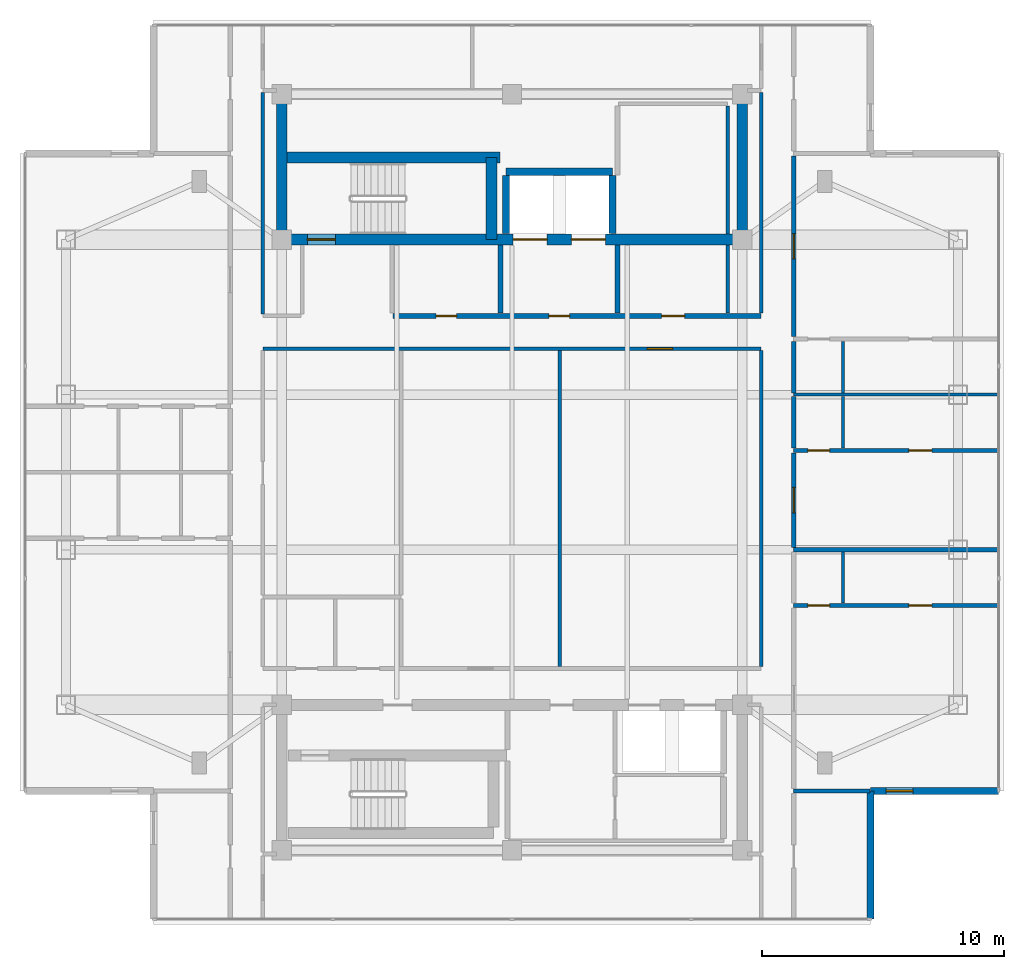
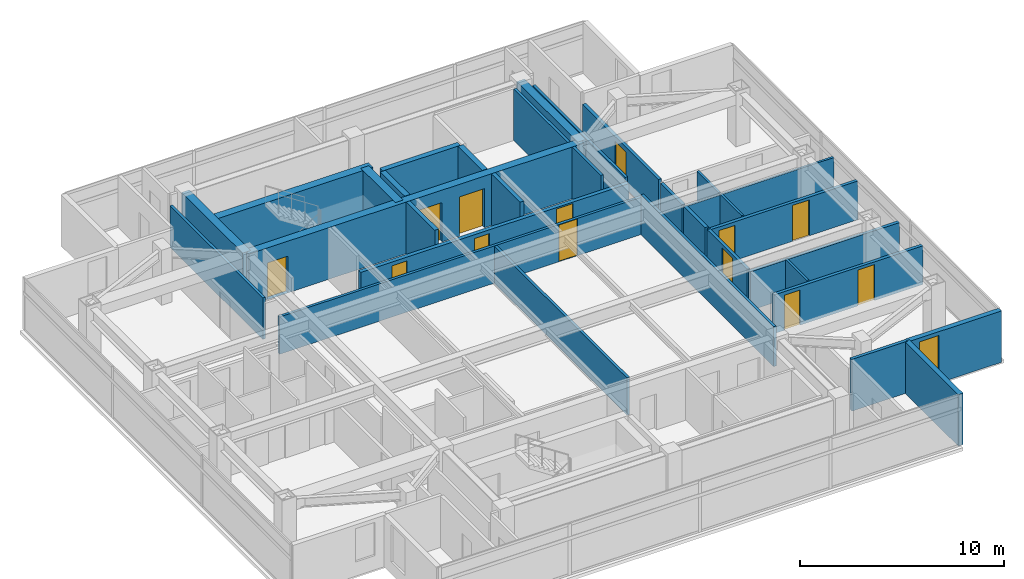
# One storey, part 8 of 12: 32 walls, 13 doors, 1 window, 14 openings.
"""IFC4 building model written with IfcOpenShell, lengths in metres."""

import ifcopenshell
import ifcopenshell.guid

model = None  # the IFC model being written
_history = None  # IfcOwnerHistory: only IFC2X3 demands one
_inside = {}  # id of a spatial element -> (the spatial element, [elements in it])
_under = {}  # id of a project, library or spatial element -> (it, [spatial elements below it])
_declared = {}  # id of a project -> (the project, [libraries it declares])
_typed = {}  # id of a type object -> (the type object, [elements of that type])
_made_of = {}  # id of a material, layer set ... -> (it, [elements and type objects made of it])


def new_model(schema):
    """Start an empty IFC model of exactly this schema.

    Asked for "IFC4X3", IfcOpenShell would pick the latest addendum, in which some entities
    have other attributes; the version numbers below select the first issue.
    IFC2X3 requires an IfcOwnerHistory on every rooted entity: one is made here for all.
    """
    global model, _history
    if schema == "IFC4X3":
        model = ifcopenshell.file(schema_version=(4, 3, 0, 0))
    else:
        model = ifcopenshell.file(schema=schema)
    _inside.clear()
    _under.clear()
    _declared.clear()
    _typed.clear()
    _made_of.clear()
    _history = None
    if model.schema == "IFC2X3":
        org = make("IfcOrganization", Name="unknown")
        user = make(
            "IfcPersonAndOrganization",
            ThePerson=make("IfcPerson", FamilyName="unknown"),
            TheOrganization=org,
        )
        app = make(
            "IfcApplication",
            ApplicationDeveloper=org,
            Version="unknown",
            ApplicationFullName="unknown",
            ApplicationIdentifier="unknown",
        )
        _history = make(
            "IfcOwnerHistory",
            OwningUser=user,
            OwningApplication=app,
            ChangeAction="ADDED",
            CreationDate=0,
        )
    return model


def make(cls, **values):
    """One entity of the class cls with the attributes given. An attribute that is None is left unset."""
    return model.create_entity(
        cls, **{name: value for name, value in values.items() if value is not None}
    )


def rooted(cls, **values):
    """An entity with a GlobalId (a new one), such as an element, a storey or a relation."""
    return make(cls, GlobalId=ifcopenshell.guid.new(), OwnerHistory=_history, **values)


def si_unit(unit_type, name, prefix=None):
    """IfcSIUnit, for example si_unit("LENGTHUNIT", "METRE", prefix="MILLI")."""
    return make("IfcSIUnit", UnitType=unit_type, Prefix=prefix, Name=name)


def assignment(units):
    """IfcUnitAssignment: the units of a project."""
    return None if units is None else make("IfcUnitAssignment", Units=units)


def point(xyz):
    """IfcCartesianPoint."""
    return None if xyz is None else make("IfcCartesianPoint", Coordinates=xyz)


def direction(xyz):
    """IfcDirection."""
    return None if xyz is None else make("IfcDirection", DirectionRatios=xyz)


def frame(location, z_axis=None, x_axis=None):
    """IfcAxis2Placement3D, a coordinate frame: its origin and axes. An axis left out is left unset."""
    return make(
        "IfcAxis2Placement3D",
        Location=point(location),
        Axis=direction(z_axis),
        RefDirection=direction(x_axis),
    )


def frame_2d(location, x_axis=None):
    """IfcAxis2Placement2D, a coordinate frame in the plane: its origin and x axis."""
    return make(
        "IfcAxis2Placement2D", Location=point(location), RefDirection=direction(x_axis)
    )


def origin():
    """The frame at (0, 0, 0) with its axes left unset."""
    return frame((0.0, 0.0, 0.0))


def place(relative_to, where):
    """IfcLocalPlacement: puts the frame where relative to a parent placement (None: the world)."""
    return make(
        "IfcLocalPlacement", PlacementRelTo=relative_to, RelativePlacement=where
    )


def context(
    kind, dimensions, precision=None, world=None, true_north=None, identifier=None
):
    """IfcGeometricRepresentationContext, for example the 3D "Model" context."""
    return make(
        "IfcGeometricRepresentationContext",
        ContextIdentifier=identifier,
        ContextType=kind,
        CoordinateSpaceDimension=dimensions,
        Precision=precision,
        WorldCoordinateSystem=world,
        TrueNorth=true_north,
    )


def subcontext(parent, identifier, kind, view, scale=None):
    """IfcGeometricRepresentationSubContext, for example "Body" below "Model"."""
    return make(
        "IfcGeometricRepresentationSubContext",
        ContextIdentifier=identifier,
        ContextType=kind,
        ParentContext=parent,
        TargetScale=scale,
        TargetView=view,
    )


def project(units=None, contexts=None):
    """IfcProject with its units and contexts."""
    return rooted(
        "IfcProject",
        Name="project",
        RepresentationContexts=contexts,
        UnitsInContext=assignment(units),
    )


def spatial(cls, under=None, at=None, **own):
    """A site, building, storey or space (cls), placed at a placement, below another one or the project."""
    s = rooted(cls, ObjectPlacement=at, **own)
    if under is not None:
        _under.setdefault(under.id(), (under, []))[1].append(s)
    return s


def profile(cls, at=None, kind="AREA", **sizes):
    """A parametric profile (cls). Its sizes go by their IFC names, for example OverallWidth=200.0."""
    return make(cls, ProfileType=kind, Position=at, **sizes)


def rectangle(**sizes):
    """IfcRectangleProfileDef."""
    return profile("IfcRectangleProfileDef", **sizes)


def extrude(swept, where, along, depth):
    """IfcExtrudedAreaSolid: the profile swept, set in the frame where, extruded along a direction by depth."""
    return make(
        "IfcExtrudedAreaSolid",
        SweptArea=swept,
        Position=where,
        ExtrudedDirection=direction(along),
        Depth=depth,
    )


def shape(context_of_items, identifier, shape_type, items):
    """IfcShapeRepresentation: the items that make up one representation, for example the "Body"."""
    return make(
        "IfcShapeRepresentation",
        ContextOfItems=context_of_items,
        RepresentationIdentifier=identifier,
        RepresentationType=shape_type,
        Items=items,
    )


def material(Name=None, Category=None):
    """IfcMaterial."""
    return make("IfcMaterial", Name=Name, Category=Category)


def layer(
    of_material, thickness, ventilated=None, Name=None, Category=None, Priority=None
):
    """IfcMaterialLayer: one layer of a wall or slab, of a material (None: an air gap)."""
    return make(
        "IfcMaterialLayer",
        Material=of_material,
        LayerThickness=thickness,
        IsVentilated=ventilated,
        Name=Name,
        Category=Category,
        Priority=Priority,
    )


def layer_set(layers, Name=None):
    """IfcMaterialLayerSet."""
    return make("IfcMaterialLayerSet", MaterialLayers=layers, LayerSetName=Name)


def made_of(thing, what):
    """Note that an element or type object is made of a material, layer set ...; save() writes the relation."""
    if what is not None:
        _made_of.setdefault(what.id(), (what, []))[1].append(thing)
    return thing


def type_object(cls, material=None, **own):
    """A type object (cls), such as IfcWallType, which elements share."""
    return made_of(rooted(cls, **own), material)


def element(
    cls,
    number,
    at=None,
    inside=None,
    cuts=None,
    type_object=None,
    material=None,
    context=None,
    identifier="Body",
    shape_type=None,
    held_by="IfcProductDefinitionShape",
    body=None,
    shapes=None,
    **own,
):
    """One element of the class cls, such as IfcWall. Its Tag is "e" and its number.

    at: its placement. inside: the storey or other place that contains it. cuts: it is an
    opening in that element (IfcRelVoidsElement). A single representation is given by context,
    identifier, shape_type and body (its items); several are given by shapes. held_by: the class
    of the entity that holds the representations. save() writes the other relations.
    """
    e = rooted(cls, Tag="e%d" % number, ObjectPlacement=at, **own)
    if body is not None:
        shapes = [shape(context, identifier, shape_type, body)]
    if shapes is not None:
        e.Representation = make(held_by, Representations=shapes)
    if inside is not None:
        _inside.setdefault(inside.id(), (inside, []))[1].append(e)
    if cuts is not None:
        rooted(
            "IfcRelVoidsElement", RelatingBuildingElement=cuts, RelatedOpeningElement=e
        )
    if type_object is not None:
        _typed.setdefault(type_object.id(), (type_object, []))[1].append(e)
    return made_of(e, material)


def fill(opening, filler):
    """IfcRelFillsElement: the door or window that sits in an opening."""
    return rooted(
        "IfcRelFillsElement",
        RelatingOpeningElement=opening,
        RelatedBuildingElement=filler,
    )


def aggregate(whole, parts):
    """IfcRelAggregates: a whole, such as a stair, and the parts it consists of."""
    return rooted("IfcRelAggregates", RelatingObject=whole, RelatedObjects=parts)


def save(model, path):
    """Write the relations noted so far, then the file.

    IfcRelAggregates (storeys below a building ...), IfcRelContainedInSpatialStructure (elements
    in a storey), IfcRelDefinesByType, IfcRelAssociatesMaterial and IfcRelDeclares: one each for
    every whole, place, type object, material and project.
    """
    for whole, parts in _under.values():
        aggregate(whole, parts)
    for where, things in _inside.values():
        rooted(
            "IfcRelContainedInSpatialStructure",
            RelatedElements=things,
            RelatingStructure=where,
        )
    for kind, things in _typed.values():
        rooted("IfcRelDefinesByType", RelatedObjects=things, RelatingType=kind)
    for what, things in _made_of.values():
        rooted("IfcRelAssociatesMaterial", RelatedObjects=things, RelatingMaterial=what)
    for by, libraries in _declared.values():
        rooted("IfcRelDeclares", RelatingContext=by, RelatedDefinitions=libraries)
    model.write(path)


model = new_model("IFC4")

# Units and contexts
model_context = context("Model", 3, precision=1e-05, world=origin(), true_north=direction((0.0, 1.0)))
body_context = subcontext(model_context, "Body", "Model", "MODEL_VIEW")
ifc_project = project(units=[si_unit("LENGTHUNIT", "METRE"), si_unit("AREAUNIT", "SQUARE_METRE"), si_unit("VOLUMEUNIT", "CUBIC_METRE"), si_unit("PLANEANGLEUNIT", "RADIAN"), si_unit("MASSUNIT", "GRAM", prefix="KILO")], contexts=[model_context])

# Site, building, storey
site_placement = place(None, origin())
site = spatial("IfcSite", under=ifc_project, at=site_placement, CompositionType="ELEMENT")
building_placement = place(site_placement, origin())
building = spatial("IfcBuilding", under=site, at=building_placement, Name="Mirazonda Arch Towers", CompositionType="ELEMENT")
storey_placement = place(building_placement, frame((0.0, 0.0, 219.39990234375)))
storey = spatial("IfcBuildingStorey", under=building, at=storey_placement, Name="L62", CompositionType="ELEMENT", Elevation=219.39990234375)

# Walls
ifc_material_1 = material(Name="Concrete C50/60", Category="concrete")
ifc_layer_1 = layer(ifc_material_1, 0.449951171875, Name="WALL-CORE-450")
ifc_layer_set_1 = layer_set([ifc_layer_1], Name="Concrete C50/60")
wall_type_1 = type_object("IfcWallType", Name="WALL-CORE-450", PredefinedType="SHEAR", material=ifc_layer_set_1)
for number, where, z_axis, x_axis, name in (
    (1, (11.0, 37.60009765625, 0.0), (0.0, 0.0, 1.0), (0.0, 1.0, 0.0), "L62 T1N-W Core Shear Wall"),
    (2, (30.0, 37.60009765625, 0.0), (0.0, 0.0, 1.0), (0.0, 1.0, 0.0), "L62 T1N-E Core Shear Wall"),
):
    element("IfcWall", number, at=place(storey_placement, frame(where, z_axis=z_axis, x_axis=x_axis)), inside=storey, type_object=wall_type_1, Name=name, PredefinedType="SHEAR", context=body_context, shape_type="SweptSolid", body=[
        extrude(rectangle(XDim=6.0, YDim=0.449951171875, at=frame_2d((3.0, 0.0))), origin(), (0.0, 0.0, 1.0), 3.10009765625),
    ])

# Wall, openings, doors
wall_1_placement = place(storey_placement, frame((11.0, 37.60009765625, 0.0), z_axis=(0.0, 0.0, 1.0), x_axis=(1.0, 0.0, 0.0)))
wall_1 = element("IfcWall", 3, at=wall_1_placement, inside=storey, type_object=wall_type_1, Name="L62 T1N-S Core Shear Wall", PredefinedType="SHEAR", context=body_context, shape_type="SweptSolid", body=[
    extrude(rectangle(XDim=19.0, YDim=0.449951171875, at=frame_2d((9.5, 0.0))), origin(), (0.0, 0.0, 1.0), 3.10009765625),
])
opening_1_placement = place(wall_1_placement, frame((1.06005859375, 0.0, 0.0)))
opening_1 = element("IfcOpeningElement", 4, at=opening_1_placement, cuts=wall_1, Name="Opening DR-135", PredefinedType="OPENING", context=body_context, shape_type="SweptSolid", body=[
    extrude(rectangle(XDim=1.14990234375, YDim=2.199951171875, at=frame_2d((0.574951171875, 1.10009765625))), frame((0.0, 0.23486328125, 0.0), z_axis=(0.0, -1.0, 0.0), x_axis=(1.0, 0.0, 0.0)), (0.0, 0.0, 1.0), 0.469970703125),
])
opening_2_placement = place(wall_1_placement, frame((9.550048828125, 0.0, 0.0)))
opening_2 = element("IfcOpeningElement", 5, at=opening_2_placement, cuts=wall_1, Name="Opening LD-112", PredefinedType="OPENING", context=body_context, shape_type="SweptSolid", body=[
    extrude(rectangle(XDim=1.39990234375, YDim=2.35009765625, at=frame_2d((0.699951171875, 1.175048828125))), frame((0.0, 0.23486328125, 0.0), z_axis=(0.0, -1.0, 0.0), x_axis=(1.0, 0.0, 0.0)), (0.0, 0.0, 1.0), 0.469970703125),
])
opening_3_placement = place(wall_1_placement, frame((11.949951171875, 0.0, 0.0)))
opening_3 = element("IfcOpeningElement", 6, at=opening_3_placement, cuts=wall_1, Name="Opening LD-112", PredefinedType="OPENING", context=body_context, shape_type="SweptSolid", body=[
    extrude(rectangle(XDim=1.39990234375, YDim=2.35009765625, at=frame_2d((0.699951171875, 1.175048828125))), frame((0.0, 0.23486328125, 0.0), z_axis=(0.0, -1.0, 0.0), x_axis=(1.0, 0.0, 0.0)), (0.0, 0.0, 1.0), 0.469970703125),
])
ifc_material_2 = material(Name="Architectural Brushed Steel S355", Category="steel")
door_type_1 = type_object("IfcDoorType", Name="DOOR-LIFT-FFL-1400", OperationType="NOTDEFINED", PredefinedType="DOOR", material=ifc_material_2)
door_1_placement = place(opening_2_placement, origin())
door_1 = element("IfcDoor", 7, at=door_1_placement, inside=storey, type_object=door_type_1, Name="L62 Lift Landing Sliding Door FFL-T1", OperationType="DOUBLE_DOOR_SLIDING", OverallHeight=2.35009765625, OverallWidth=1.39990234375, PredefinedType="DOOR", context=body_context, shape_type="SweptSolid", body=[
    extrude(rectangle(XDim=1.39990234375, YDim=2.35009765625, at=frame_2d((0.699951171875, 1.175048828125))), frame((0.0, 0.02490234375, 0.0), z_axis=(0.0, -1.0, 0.0), x_axis=(1.0, 0.0, 0.0)), (0.0, 0.0, 1.0), 0.050048828125),
])
fill(opening_2, door_1)
door_2_placement = place(opening_3_placement, origin())
door_2 = element("IfcDoor", 8, at=door_2_placement, inside=storey, type_object=door_type_1, Name="L62 Lift Landing Sliding Door SVL-T1", OperationType="DOUBLE_DOOR_SLIDING", OverallHeight=2.35009765625, OverallWidth=1.39990234375, PredefinedType="DOOR", context=body_context, shape_type="SweptSolid", body=[
    extrude(rectangle(XDim=1.39990234375, YDim=2.35009765625, at=frame_2d((0.699951171875, 1.175048828125))), frame((0.0, 0.02490234375, 0.0), z_axis=(0.0, -1.0, 0.0), x_axis=(1.0, 0.0, 0.0)), (0.0, 0.0, 1.0), 0.050048828125),
])
fill(opening_3, door_2)
door_type_2 = type_object("IfcDoorType", Name="DOOR-STAIR-FD90-1150", OperationType="NOTDEFINED", PredefinedType="DOOR", material=ifc_material_2)
door_3_placement = place(opening_1_placement, origin())
door_3 = element("IfcDoor", 9, at=door_3_placement, inside=storey, type_object=door_type_2, Name="L62 Protected Exit Stair North Door", OperationType="SINGLE_SWING_RIGHT", OverallHeight=2.199951171875, OverallWidth=1.14990234375, PredefinedType="DOOR", context=body_context, shape_type="SweptSolid", body=[
    extrude(rectangle(XDim=1.14990234375, YDim=2.199951171875, at=frame_2d((0.574951171875, 1.10009765625))), frame((0.0, 0.02490234375, 0.0), z_axis=(0.0, -1.0, 0.0), x_axis=(1.0, 0.0, 0.0)), (0.0, 0.0, 1.0), 0.050048828125),
])
fill(opening_1, door_3)

# Walls
wall_2_placement = place(storey_placement, frame((11.0, 40.992919921875, 0.0), z_axis=(0.0, 0.0, 1.0), x_axis=(1.0, 0.0, 0.0)))
element("IfcWall", 10, at=wall_2_placement, inside=storey, type_object=wall_type_1, Name="L62 T1N-STN Core Shear Wall", PredefinedType="SHEAR", context=body_context, shape_type="SweptSolid", body=[
    extrude(rectangle(XDim=9.0, YDim=0.449951171875, at=frame_2d((4.5, 0.0))), origin(), (0.0, 0.0, 1.0), 3.10009765625),
])
wall_3_placement = place(storey_placement, frame((19.64990234375, 37.60009765625, 0.0), z_axis=(0.0, 0.0, 1.0), x_axis=(0.0, 1.0, 0.0)))
element("IfcWall", 11, at=wall_3_placement, inside=storey, type_object=wall_type_1, Name="L62 T1N-STE Core Shear Wall", PredefinedType="SHEAR", context=body_context, shape_type="SweptSolid", body=[
    extrude(rectangle(XDim=3.392822265625, YDim=0.449951171875, at=frame_2d((1.6962890625, 0.0))), origin(), (0.0, 0.0, 1.0), 3.10009765625),
])

# Wall, opening, window
ifc_material_3 = material(Name="Precast Concrete C40/50", Category="concrete")
ifc_layer_2 = layer(ifc_material_3, 0.280029296875, Name="WALL-EXT-WALL-280")
ifc_layer_set_2 = layer_set([ifc_layer_2], Name="Precast Concrete C40/50")
wall_type_2 = type_object("IfcWallType", Name="WALL-EXT-WALL-280", PredefinedType="SOLIDWALL", material=ifc_layer_set_2)
wall_4_placement = place(storey_placement, frame((35.2900390625, 14.85009765625, 0.0), z_axis=(0.0, 0.0, 1.0), x_axis=(1.0, 0.0, 0.0)))
wall_4 = element("IfcWall", 12, at=wall_4_placement, inside=storey, type_object=wall_type_2, Name="L62 T1 Corner Notch Return Wall WL-L62-T1-CSE1", PredefinedType="SOLIDWALL", context=body_context, shape_type="SweptSolid", body=[
    extrude(rectangle(XDim=5.2900390625, YDim=0.280029296875, at=frame_2d((2.64501953125, 0.0))), origin(), (0.0, 0.0, 1.0), 3.080078125),
])
opening_4_placement = place(wall_4_placement, frame((0.64990234375, 0.0, 0.85009765625)))
opening_4 = element("IfcOpeningElement", 13, at=opening_4_placement, cuts=wall_4, Name="Opening WN-108", PredefinedType="OPENING", context=body_context, shape_type="SweptSolid", body=[
    extrude(rectangle(XDim=1.10009765625, YDim=2.0, at=frame_2d((0.550048828125, 1.0))), frame((0.0, 0.14990234375, 0.0), z_axis=(0.0, -1.0, 0.0), x_axis=(1.0, 0.0, 0.0)), (0.0, 0.0, 1.0), 0.300048828125),
])
ifc_material_4 = material(Name="Insulated Low-E Solar Glass", Category="glass")
window_type = type_object("IfcWindowType", Name="WIN-NOTCH-1100x2000", PartitioningType="SINGLE_PANEL", PredefinedType="WINDOW", material=ifc_material_4)
window_placement = place(opening_4_placement, origin())
window = element("IfcWindow", 14, at=window_placement, inside=storey, type_object=window_type, Name="L62 Punched Facade Window WN-L62-T1-CSE1", OverallHeight=2.0, OverallWidth=1.10009765625, PartitioningType="SINGLE_PANEL", PredefinedType="WINDOW", context=body_context, shape_type="SweptSolid", body=[
    extrude(rectangle(XDim=1.10009765625, YDim=2.0, at=frame_2d((0.550048828125, 1.0))), frame((0.0, 0.030029296875, 0.0), z_axis=(0.0, -1.0, 0.0), x_axis=(1.0, 0.0, 0.0)), (0.0, 0.0, 1.0), 0.06005859375),
])
fill(opening_4, window)

# Wall
wall_5_placement = place(storey_placement, frame((35.2900390625, 9.56005859375, 0.0), z_axis=(0.0, 0.0, 1.0), x_axis=(0.0, 1.0, 0.0)))
element("IfcWall", 15, at=wall_5_placement, inside=storey, type_object=wall_type_2, Name="L62 T1 Corner Notch Return Wall WL-L62-T1-CSE2", PredefinedType="SOLIDWALL", context=body_context, shape_type="SweptSolid", body=[
    extrude(rectangle(XDim=5.2900390625, YDim=0.280029296875, at=frame_2d((2.64501953125, 0.0))), origin(), (0.0, 0.0, 1.0), 3.080078125),
])

# Wall, openings, doors
ifc_material_5 = material(Name="Concrete C40/50", Category="concrete")
ifc_layer_3 = layer(ifc_material_5, 0.219970703125, Name="WALL-FFL-220")
ifc_layer_set_3 = layer_set([ifc_layer_3], Name="Concrete C40/50")
wall_type_3 = type_object("IfcWallType", Name="WALL-FFL-220", PredefinedType="SOLIDWALL", material=ifc_layer_set_3)
wall_6_placement = place(storey_placement, frame((15.590087890625, 34.449951171875, 0.0), z_axis=(0.0, 0.0, 1.0), x_axis=(1.0, 0.0, 0.0)))
wall_6 = element("IfcWall", 16, at=wall_6_placement, inside=storey, type_object=wall_type_3, Name="L62 Interior Partition 023", PredefinedType="SOLIDWALL", context=body_context, shape_type="SweptSolid", body=[
    extrude(rectangle(XDim=15.18994140625, YDim=0.219970703125, at=frame_2d((7.594970703125, 0.0))), origin(), (0.0, 0.0, 1.0), 2.236083984375),
])
opening_5_placement = place(wall_6_placement, frame((6.43505859375, 0.0, 0.0)))
opening_5 = element("IfcOpeningElement", 17, at=opening_5_placement, cuts=wall_6, Name="Opening DR-128", PredefinedType="OPENING", context=body_context, shape_type="SweptSolid", body=[
    extrude(rectangle(XDim=0.85009765625, YDim=2.010009765625, at=frame_2d((0.425048828125, 1.0048828125))), frame((0.0, 0.119873046875, 0.0), z_axis=(0.0, -1.0, 0.0), x_axis=(1.0, 0.0, 0.0)), (0.0, 0.0, 1.0), 0.239990234375),
])
opening_6_placement = place(wall_6_placement, frame((11.0849609375, 0.0, 0.0)))
opening_6 = element("IfcOpeningElement", 18, at=opening_6_placement, cuts=wall_6, Name="Opening DR-104", PredefinedType="OPENING", context=body_context, shape_type="SweptSolid", body=[
    extrude(rectangle(XDim=0.949951171875, YDim=2.14990234375, at=frame_2d((0.47509765625, 1.074951171875))), frame((0.0, 0.119873046875, 0.0), z_axis=(0.0, -1.0, 0.0), x_axis=(1.0, 0.0, 0.0)), (0.0, 0.0, 1.0), 0.239990234375),
])
opening_7_placement = place(wall_6_placement, frame((1.77490234375, 0.0, 0.0)))
opening_7 = element("IfcOpeningElement", 19, at=opening_7_placement, cuts=wall_6, Name="Opening DR-128", PredefinedType="OPENING", context=body_context, shape_type="SweptSolid", body=[
    extrude(rectangle(XDim=0.85009765625, YDim=2.010009765625, at=frame_2d((0.425048828125, 1.0048828125))), frame((0.0, 0.119873046875, 0.0), z_axis=(0.0, -1.0, 0.0), x_axis=(1.0, 0.0, 0.0)), (0.0, 0.0, 1.0), 0.239990234375),
])
door_type_3 = type_object("IfcDoorType", Name="DOOR-RISER-FD60-850", OperationType="NOTDEFINED", PredefinedType="DOOR", material=ifc_material_2)
door_4_placement = place(opening_5_placement, origin())
door_4 = element("IfcDoor", 20, at=door_4_placement, inside=storey, type_object=door_type_3, Name="L62 Firefighting Lift Lobby Door", OperationType="SINGLE_SWING_LEFT", OverallHeight=2.010009765625, OverallWidth=0.85009765625, PredefinedType="DOOR", context=body_context, shape_type="SweptSolid", body=[
    extrude(rectangle(XDim=0.85009765625, YDim=2.010009765625, at=frame_2d((0.425048828125, 1.0048828125))), frame((0.0, 0.02490234375, 0.0), z_axis=(0.0, -1.0, 0.0), x_axis=(1.0, 0.0, 0.0)), (0.0, 0.0, 1.0), 0.050048828125),
])
fill(opening_5, door_4)
door_5_placement = place(opening_7_placement, origin())
door_5 = element("IfcDoor", 21, at=door_5_placement, inside=storey, type_object=door_type_3, Name="L62 Housekeeping Linen Room Door", OperationType="SINGLE_SWING_LEFT", OverallHeight=2.010009765625, OverallWidth=0.85009765625, PredefinedType="DOOR", context=body_context, shape_type="SweptSolid", body=[
    extrude(rectangle(XDim=0.85009765625, YDim=2.010009765625, at=frame_2d((0.425048828125, 1.0048828125))), frame((0.0, 0.02490234375, 0.0), z_axis=(0.0, -1.0, 0.0), x_axis=(1.0, 0.0, 0.0)), (0.0, 0.0, 1.0), 0.050048828125),
])
fill(opening_7, door_5)
door_type_4 = type_object("IfcDoorType", Name="DOOR-ROOM-950", OperationType="NOTDEFINED", PredefinedType="DOOR", material=ifc_material_2)
door_6_placement = place(opening_6_placement, origin())
door_6 = element("IfcDoor", 22, at=door_6_placement, inside=storey, type_object=door_type_4, Name="L62 Residents Private Art Gallery Door", OperationType="SINGLE_SWING_RIGHT", OverallHeight=2.14990234375, OverallWidth=0.949951171875, PredefinedType="DOOR", context=body_context, shape_type="SweptSolid", body=[
    extrude(rectangle(XDim=0.949951171875, YDim=2.14990234375, at=frame_2d((0.47509765625, 1.074951171875))), frame((0.0, 0.02490234375, 0.0), z_axis=(0.0, -1.0, 0.0), x_axis=(1.0, 0.0, 0.0)), (0.0, 0.0, 1.0), 0.050048828125),
])
fill(opening_6, door_6)

# Walls
for number, where, z_axis, x_axis, name in (
    (23, (20.02490234375, 34.570068359375, 0.0), (0.0, 0.0, 1.0), (0.0, 1.0, 0.0), "L62 Interior Partition 053"),
    (24, (24.85009765625, 34.570068359375, 0.0), (0.0, 0.0, 1.0), (0.0, 1.0, 0.0), "L62 Interior Partition 061"),
):
    element("IfcWall", number, at=place(storey_placement, frame(where, z_axis=z_axis, x_axis=x_axis)), inside=storey, type_object=wall_type_3, Name=name, PredefinedType="SOLIDWALL", context=body_context, shape_type="SweptSolid", body=[
        extrude(rectangle(XDim=2.809814453125, YDim=0.219970703125, at=frame_2d((1.40478515625, 0.0))), origin(), (0.0, 0.0, 1.0), 3.10009765625),
    ])

# Wall, opening, door
ifc_material_6 = material(Name="Fire-Rated Gypsum Stud Partition")
ifc_layer_4 = layer(ifc_material_6, 0.14990234375, Name="WALL-PART-CORR-150")
ifc_layer_set_4 = layer_set([ifc_layer_4], Name="Fire-Rated Gypsum Stud Partition")
wall_type_4 = type_object("IfcWallType", Name="WALL-PART-CORR-150", PredefinedType="PARTITIONING", material=ifc_layer_set_4)
wall_7_placement = place(storey_placement, frame((10.219970703125, 33.10009765625, 0.0), z_axis=(0.0, 0.0, 1.0), x_axis=(1.0, 0.0, 0.0)))
wall_7 = element("IfcWall", 25, at=wall_7_placement, inside=storey, type_object=wall_type_4, Name="L62 Interior Partition 020", PredefinedType="PARTITIONING", context=body_context, shape_type="SweptSolid", body=[
    extrude(rectangle(XDim=20.56005859375, YDim=0.14990234375, at=frame_2d((10.280029296875, 0.0))), origin(), (0.0, 0.0, 1.0), 2.236083984375),
])
opening_8_placement = place(wall_7_placement, frame((15.85693359375, 0.0, 0.0)))
opening_8 = element("IfcOpeningElement", 26, at=opening_8_placement, cuts=wall_7, Name="Opening DR-121", PredefinedType="OPENING", context=body_context, shape_type="SweptSolid", body=[
    extrude(rectangle(XDim=1.050048828125, YDim=2.199951171875, at=frame_2d((0.52490234375, 1.10009765625))), frame((0.0, 0.0849609375, 0.0), z_axis=(0.0, -1.0, 0.0), x_axis=(1.0, 0.0, 0.0)), (0.0, 0.0, 1.0), 0.169921875),
])
door_type_5 = type_object("IfcDoorType", Name="DOOR-SUITE-FD60-1050", OperationType="NOTDEFINED", PredefinedType="DOOR", material=ifc_material_2)
door_7_placement = place(opening_8_placement, origin())
door_7 = element("IfcDoor", 27, at=door_7_placement, inside=storey, type_object=door_type_5, Name="L62 Chamber Music & Screening Salon Door", OperationType="SINGLE_SWING_LEFT", OverallHeight=2.199951171875, OverallWidth=1.050048828125, PredefinedType="DOOR", context=body_context, shape_type="SweptSolid", body=[
    extrude(rectangle(XDim=1.050048828125, YDim=2.199951171875, at=frame_2d((0.52490234375, 1.10009765625))), frame((0.0, 0.02490234375, 0.0), z_axis=(0.0, -1.0, 0.0), x_axis=(1.0, 0.0, 0.0)), (0.0, 0.0, 1.0), 0.050048828125),
])
fill(opening_8, door_7)

# Walls
wall_8_placement = place(storey_placement, frame((10.219970703125, 34.534912109375, 0.0), z_axis=(0.0, 0.0, 1.0), x_axis=(0.0, 1.0, 0.0)))
element("IfcWall", 28, at=wall_8_placement, inside=storey, type_object=wall_type_4, Name="L62 Interior Partition 044", PredefinedType="PARTITIONING", context=body_context, shape_type="SweptSolid", body=[
    extrude(rectangle(XDim=9.130126953125, YDim=0.14990234375, at=frame_2d((4.56494140625, 0.0))), origin(), (0.0, 0.0, 1.0), 2.4921875),
])
wall_9_placement = place(storey_placement, frame((22.464111328125, 19.985107421875, 0.0), z_axis=(0.0, 0.0, 1.0), x_axis=(0.0, 1.0, 0.0)))
element("IfcWall", 29, at=wall_9_placement, inside=storey, type_object=wall_type_4, Name="L62 Interior Partition 057", PredefinedType="PARTITIONING", context=body_context, shape_type="SweptSolid", body=[
    extrude(rectangle(XDim=13.02978515625, YDim=0.14990234375, at=frame_2d((6.514892578125, 0.0))), origin(), (0.0, 0.0, 1.0), 2.236083984375),
])
wall_10_placement = place(storey_placement, frame((29.39990234375, 34.570068359375, 0.0), z_axis=(0.0, 0.0, 1.0), x_axis=(0.0, 1.0, 0.0)))
element("IfcWall", 30, at=wall_10_placement, inside=storey, type_object=wall_type_4, Name="L62 Interior Partition 065", PredefinedType="PARTITIONING", context=body_context, shape_type="SweptSolid", body=[
    extrude(rectangle(XDim=2.809814453125, YDim=0.14990234375, at=frame_2d((1.40478515625, 0.0))), origin(), (0.0, 0.0, 1.0), 3.10009765625),
])
wall_11_placement = place(storey_placement, frame((29.39990234375, 37.820068359375, 0.0), z_axis=(0.0, 0.0, 1.0), x_axis=(0.0, 1.0, 0.0)))
element("IfcWall", 31, at=wall_11_placement, inside=storey, type_object=wall_type_4, Name="L62 Interior Partition 066", PredefinedType="PARTITIONING", context=body_context, shape_type="SweptSolid", body=[
    extrude(rectangle(XDim=5.294921875, YDim=0.14990234375, at=frame_2d((2.6474609375, 0.0))), origin(), (0.0, 0.0, 1.0), 3.10009765625),
])
wall_12_placement = place(storey_placement, frame((30.780029296875, 19.985107421875, 0.0), z_axis=(0.0, 0.0, 1.0), x_axis=(0.0, 1.0, 0.0)))
element("IfcWall", 32, at=wall_12_placement, inside=storey, type_object=wall_type_4, Name="L62 Interior Partition 069", PredefinedType="PARTITIONING", context=body_context, shape_type="SweptSolid", body=[
    extrude(rectangle(XDim=13.02978515625, YDim=0.14990234375, at=frame_2d((6.514892578125, 0.0))), origin(), (0.0, 0.0, 1.0), 2.39599609375),
])
wall_13_placement = place(storey_placement, frame((30.780029296875, 34.570068359375, 0.0), z_axis=(0.0, 0.0, 1.0), x_axis=(0.0, 1.0, 0.0)))
element("IfcWall", 33, at=wall_13_placement, inside=storey, type_object=wall_type_4, Name="L62 Interior Partition 070", PredefinedType="PARTITIONING", context=body_context, shape_type="SweptSolid", body=[
    extrude(rectangle(XDim=9.094970703125, YDim=0.14990234375, at=frame_2d((4.54736328125, 0.0))), origin(), (0.0, 0.0, 1.0), 2.4921875),
])
ifc_material_7 = material(Name="Fire-Rated Gypsum Twin-Stud Assembly")
ifc_layer_5 = layer(ifc_material_7, 0.179931640625, Name="WALL-PART-DEMISE-180")
ifc_layer_set_5 = layer_set([ifc_layer_5], Name="Fire-Rated Gypsum Twin-Stud Assembly")
wall_type_5 = type_object("IfcWallType", Name="WALL-PART-DEMISE-180", PredefinedType="PARTITIONING", material=ifc_layer_set_5)
wall_14_placement = place(storey_placement, frame((32.1201171875, 14.85009765625, 0.0), z_axis=(0.0, 0.0, 1.0), x_axis=(1.0, 0.0, 0.0)))
element("IfcWall", 34, at=wall_14_placement, inside=storey, type_object=wall_type_5, Name="L62 Interior Partition 006", PredefinedType="PARTITIONING", context=body_context, shape_type="SweptSolid", body=[
    extrude(rectangle(XDim=3.14990234375, YDim=0.179931640625, at=frame_2d((1.574951171875, 0.0))), origin(), (0.0, 0.0, 1.0), 3.10009765625),
])

# Wall, openings, doors
wall_15_placement = place(storey_placement, frame((32.1201171875, 22.5, 0.0), z_axis=(0.0, 0.0, 1.0), x_axis=(1.0, 0.0, 0.0)))
wall_15 = element("IfcWall", 35, at=wall_15_placement, inside=storey, type_object=wall_type_5, Name="L62 Interior Partition 012", PredefinedType="PARTITIONING", context=body_context, shape_type="SweptSolid", body=[
    extrude(rectangle(XDim=8.4599609375, YDim=0.179931640625, at=frame_2d((4.22998046875, 0.0))), origin(), (0.0, 0.0, 1.0), 2.319091796875),
])
opening_9_placement = place(wall_15_placement, frame((4.7548828125, 0.0, 0.0)))
opening_9 = element("IfcOpeningElement", 36, at=opening_9_placement, cuts=wall_15, Name="Opening DR-104", PredefinedType="OPENING", context=body_context, shape_type="SweptSolid", body=[
    extrude(rectangle(XDim=0.949951171875, YDim=2.14990234375, at=frame_2d((0.47509765625, 1.074951171875))), frame((0.0, 0.099853515625, 0.0), z_axis=(0.0, -1.0, 0.0), x_axis=(1.0, 0.0, 0.0)), (0.0, 0.0, 1.0), 0.199951171875),
])
opening_10_placement = place(wall_15_placement, frame((0.590087890625, 0.0, 0.0)))
opening_10 = element("IfcOpeningElement", 37, at=opening_10_placement, cuts=wall_15, Name="Opening DR-120", PredefinedType="OPENING", context=body_context, shape_type="SweptSolid", body=[
    extrude(rectangle(XDim=0.89990234375, YDim=2.10009765625, at=frame_2d((0.449951171875, 1.050048828125))), frame((0.0, 0.099853515625, 0.0), z_axis=(0.0, -1.0, 0.0), x_axis=(1.0, 0.0, 0.0)), (0.0, 0.0, 1.0), 0.199951171875),
])
door_8_placement = place(opening_9_placement, origin())
door_8 = element("IfcDoor", 38, at=door_8_placement, inside=storey, type_object=door_type_4, Name="L62 Studio 1 Galley Kitchen Door", OperationType="SINGLE_SWING_RIGHT", OverallHeight=2.14990234375, OverallWidth=0.949951171875, PredefinedType="DOOR", context=body_context, shape_type="SweptSolid", body=[
    extrude(rectangle(XDim=0.949951171875, YDim=2.14990234375, at=frame_2d((0.47509765625, 1.074951171875))), frame((0.0, 0.02490234375, 0.0), z_axis=(0.0, -1.0, 0.0), x_axis=(1.0, 0.0, 0.0)), (0.0, 0.0, 1.0), 0.050048828125),
])
fill(opening_9, door_8)
door_type_6 = type_object("IfcDoorType", Name="DOOR-WC-900", OperationType="NOTDEFINED", PredefinedType="DOOR", material=ifc_material_2)
door_9_placement = place(opening_10_placement, origin())
door_9 = element("IfcDoor", 39, at=door_9_placement, inside=storey, type_object=door_type_6, Name="L62 Studio 1 Bathroom Door", OperationType="SINGLE_SWING_LEFT", OverallHeight=2.10009765625, OverallWidth=0.89990234375, PredefinedType="DOOR", context=body_context, shape_type="SweptSolid", body=[
    extrude(rectangle(XDim=0.89990234375, YDim=2.10009765625, at=frame_2d((0.449951171875, 1.050048828125))), frame((0.0, 0.02490234375, 0.0), z_axis=(0.0, -1.0, 0.0), x_axis=(1.0, 0.0, 0.0)), (0.0, 0.0, 1.0), 0.050048828125),
])
fill(opening_10, door_9)

# Wall
wall_16_placement = place(storey_placement, frame((32.1201171875, 24.800048828125, 0.0), z_axis=(0.0, 0.0, 1.0), x_axis=(1.0, 0.0, 0.0)))
element("IfcWall", 40, at=wall_16_placement, inside=storey, type_object=wall_type_5, Name="L62 Interior Partition 014", PredefinedType="PARTITIONING", context=body_context, shape_type="SweptSolid", body=[
    extrude(rectangle(XDim=8.4599609375, YDim=0.179931640625, at=frame_2d((4.22998046875, 0.0))), origin(), (0.0, 0.0, 1.0), 2.319091796875),
])

# Wall, openings, doors
wall_17_placement = place(storey_placement, frame((32.1201171875, 28.89990234375, 0.0), z_axis=(0.0, 0.0, 1.0), x_axis=(1.0, 0.0, 0.0)))
wall_17 = element("IfcWall", 41, at=wall_17_placement, inside=storey, type_object=wall_type_5, Name="L62 Interior Partition 017", PredefinedType="PARTITIONING", context=body_context, shape_type="SweptSolid", body=[
    extrude(rectangle(XDim=8.4599609375, YDim=0.179931640625, at=frame_2d((4.22998046875, 0.0))), origin(), (0.0, 0.0, 1.0), 2.319091796875),
])
opening_11_placement = place(wall_17_placement, frame((4.7548828125, 0.0, 0.0)))
opening_11 = element("IfcOpeningElement", 42, at=opening_11_placement, cuts=wall_17, Name="Opening DR-104", PredefinedType="OPENING", context=body_context, shape_type="SweptSolid", body=[
    extrude(rectangle(XDim=0.949951171875, YDim=2.14990234375, at=frame_2d((0.47509765625, 1.074951171875))), frame((0.0, 0.099853515625, 0.0), z_axis=(0.0, -1.0, 0.0), x_axis=(1.0, 0.0, 0.0)), (0.0, 0.0, 1.0), 0.199951171875),
])
opening_12_placement = place(wall_17_placement, frame((0.590087890625, 0.0, 0.0)))
opening_12 = element("IfcOpeningElement", 43, at=opening_12_placement, cuts=wall_17, Name="Opening DR-120", PredefinedType="OPENING", context=body_context, shape_type="SweptSolid", body=[
    extrude(rectangle(XDim=0.89990234375, YDim=2.10009765625, at=frame_2d((0.449951171875, 1.050048828125))), frame((0.0, 0.099853515625, 0.0), z_axis=(0.0, -1.0, 0.0), x_axis=(1.0, 0.0, 0.0)), (0.0, 0.0, 1.0), 0.199951171875),
])
door_10_placement = place(opening_11_placement, origin())
door_10 = element("IfcDoor", 44, at=door_10_placement, inside=storey, type_object=door_type_4, Name="L62 Studio 2 Galley Kitchen Door", OperationType="SINGLE_SWING_LEFT", OverallHeight=2.14990234375, OverallWidth=0.949951171875, PredefinedType="DOOR", context=body_context, shape_type="SweptSolid", body=[
    extrude(rectangle(XDim=0.949951171875, YDim=2.14990234375, at=frame_2d((0.47509765625, 1.074951171875))), frame((0.0, 0.02490234375, 0.0), z_axis=(0.0, -1.0, 0.0), x_axis=(1.0, 0.0, 0.0)), (0.0, 0.0, 1.0), 0.050048828125),
])
fill(opening_11, door_10)
door_11_placement = place(opening_12_placement, origin())
door_11 = element("IfcDoor", 45, at=door_11_placement, inside=storey, type_object=door_type_6, Name="L62 Studio 2 Bathroom Door", OperationType="SINGLE_SWING_RIGHT", OverallHeight=2.10009765625, OverallWidth=0.89990234375, PredefinedType="DOOR", context=body_context, shape_type="SweptSolid", body=[
    extrude(rectangle(XDim=0.89990234375, YDim=2.10009765625, at=frame_2d((0.449951171875, 1.050048828125))), frame((0.0, 0.02490234375, 0.0), z_axis=(0.0, -1.0, 0.0), x_axis=(1.0, 0.0, 0.0)), (0.0, 0.0, 1.0), 0.050048828125),
])
fill(opening_12, door_11)

# Wall, opening, door
wall_18_placement = place(storey_placement, frame((32.1201171875, 24.89990234375, 0.0), z_axis=(0.0, 0.0, 1.0), x_axis=(0.0, 1.0, 0.0)))
wall_18 = element("IfcWall", 46, at=wall_18_placement, inside=storey, type_object=wall_type_5, Name="L62 Interior Partition 075", PredefinedType="PARTITIONING", context=body_context, shape_type="SweptSolid", body=[
    extrude(rectangle(XDim=3.900146484375, YDim=0.179931640625, at=frame_2d((1.9501953125, 0.0))), origin(), (0.0, 0.0, 1.0), 2.39599609375),
])
opening_13_placement = place(wall_18_placement, frame((1.425048828125, 0.0, 0.0)))
opening_13 = element("IfcOpeningElement", 47, at=opening_13_placement, cuts=wall_18, Name="Opening DR-121", PredefinedType="OPENING", context=body_context, shape_type="SweptSolid", body=[
    extrude(rectangle(XDim=1.050048828125, YDim=2.199951171875, at=frame_2d((0.52490234375, 1.10009765625))), frame((0.0, 0.099853515625, 0.0), z_axis=(0.0, -1.0, 0.0), x_axis=(1.0, 0.0, 0.0)), (0.0, 0.0, 1.0), 0.199951171875),
])
door_12_placement = place(opening_13_placement, origin())
door_12 = element("IfcDoor", 48, at=door_12_placement, inside=storey, type_object=door_type_5, Name="L62 Studio Apartment 2 Living Salon Door", OperationType="SINGLE_SWING_RIGHT", OverallHeight=2.199951171875, OverallWidth=1.050048828125, PredefinedType="DOOR", context=body_context, shape_type="SweptSolid", body=[
    extrude(rectangle(XDim=1.050048828125, YDim=2.199951171875, at=frame_2d((0.52490234375, 1.10009765625))), frame((0.0, 0.02490234375, 0.0), z_axis=(0.0, -1.0, 0.0), x_axis=(1.0, 0.0, 0.0)), (0.0, 0.0, 1.0), 0.050048828125),
])
fill(opening_13, door_12)

# Walls
for number, where, z_axis, x_axis, name in (
    (49, (32.1201171875, 29.0, 0.0), (0.0, 0.0, 1.0), (0.0, 1.0, 0.0), "L62 Interior Partition 076"),
    (50, (32.1201171875, 31.2724609375, 0.0), (0.0, 0.0, 1.0), (0.0, 1.0, 0.0), "L62 Interior Partition 077"),
):
    element("IfcWall", number, at=place(storey_placement, frame(where, z_axis=z_axis, x_axis=x_axis)), inside=storey, type_object=wall_type_5, Name=name, PredefinedType="PARTITIONING", context=body_context, shape_type="SweptSolid", body=[
        extrude(rectangle(XDim=2.12744140625, YDim=0.179931640625, at=frame_2d((1.063720703125, 0.0))), origin(), (0.0, 0.0, 1.0), 2.39599609375),
    ])

# Wall, opening, door
wall_19_placement = place(storey_placement, frame((32.1201171875, 33.60009765625, 0.0), z_axis=(0.0, 0.0, 1.0), x_axis=(0.0, 1.0, 0.0)))
wall_19 = element("IfcWall", 51, at=wall_19_placement, inside=storey, type_object=wall_type_5, Name="L62 Interior Partition 078", PredefinedType="PARTITIONING", context=body_context, shape_type="SweptSolid", body=[
    extrude(rectangle(XDim=7.449951171875, YDim=0.179931640625, at=frame_2d((3.72509765625, 0.0))), origin(), (0.0, 0.0, 1.0), 2.4921875),
])
opening_14_placement = place(wall_19_placement, frame((3.199951171875, 0.0, 0.0)))
opening_14 = element("IfcOpeningElement", 52, at=opening_14_placement, cuts=wall_19, Name="Opening DR-121", PredefinedType="OPENING", context=body_context, shape_type="SweptSolid", body=[
    extrude(rectangle(XDim=1.050048828125, YDim=2.199951171875, at=frame_2d((0.52490234375, 1.10009765625))), frame((0.0, 0.099853515625, 0.0), z_axis=(0.0, -1.0, 0.0), x_axis=(1.0, 0.0, 0.0)), (0.0, 0.0, 1.0), 0.199951171875),
])
door_13_placement = place(opening_14_placement, origin())
door_13 = element("IfcDoor", 53, at=door_13_placement, inside=storey, type_object=door_type_5, Name="L62 Studio Apartment 3 Living Salon Door", OperationType="SINGLE_SWING_LEFT", OverallHeight=2.199951171875, OverallWidth=1.050048828125, PredefinedType="DOOR", context=body_context, shape_type="SweptSolid", body=[
    extrude(rectangle(XDim=1.050048828125, YDim=2.199951171875, at=frame_2d((0.52490234375, 1.10009765625))), frame((0.0, 0.02490234375, 0.0), z_axis=(0.0, -1.0, 0.0), x_axis=(1.0, 0.0, 0.0)), (0.0, 0.0, 1.0), 0.050048828125),
])
fill(opening_14, door_13)

# Walls
ifc_material_8 = material(Name="Acoustic Fire-Rated Gypsum Partition")
ifc_layer_6 = layer(ifc_material_8, 0.125, Name="WALL-PART-UNIT-125")
ifc_layer_set_6 = layer_set([ifc_layer_6], Name="Acoustic Fire-Rated Gypsum Partition")
wall_type_6 = type_object("IfcWallType", Name="WALL-PART-UNIT-125", PredefinedType="PARTITIONING", material=ifc_layer_set_6)
wall_20_placement = place(storey_placement, frame((32.1201171875, 31.199951171875, 0.0), z_axis=(0.0, 0.0, 1.0), x_axis=(1.0, 0.0, 0.0)))
element("IfcWall", 54, at=wall_20_placement, inside=storey, type_object=wall_type_6, Name="L62 Interior Partition 019", PredefinedType="PARTITIONING", context=body_context, shape_type="SweptSolid", body=[
    extrude(rectangle(XDim=8.4599609375, YDim=0.125, at=frame_2d((4.22998046875, 0.0))), origin(), (0.0, 0.0, 1.0), 2.319091796875),
])
wall_21_placement = place(storey_placement, frame((34.159912109375, 22.60009765625, 0.0), z_axis=(0.0, 0.0, 1.0), x_axis=(0.0, 1.0, 0.0)))
element("IfcWall", 55, at=wall_21_placement, inside=storey, type_object=wall_type_6, Name="L62 Interior Partition 080", PredefinedType="PARTITIONING", context=body_context, shape_type="SweptSolid", body=[
    extrude(rectangle(XDim=2.099853515625, YDim=0.125, at=frame_2d((1.0498046875, 0.0))), origin(), (0.0, 0.0, 1.0), 2.39599609375),
])
for number, where, z_axis, x_axis, name in (
    (56, (34.159912109375, 29.0, 0.0), (0.0, 0.0, 1.0), (0.0, 1.0, 0.0), "L62 Interior Partition 081"),
    (57, (34.159912109375, 31.2724609375, 0.0), (0.0, 0.0, 1.0), (0.0, 1.0, 0.0), "L62 Interior Partition 082"),
):
    element("IfcWall", number, at=place(storey_placement, frame(where, z_axis=z_axis, x_axis=x_axis)), inside=storey, type_object=wall_type_6, Name=name, PredefinedType="PARTITIONING", context=body_context, shape_type="SweptSolid", body=[
        extrude(rectangle(XDim=2.12744140625, YDim=0.125, at=frame_2d((1.063720703125, 0.0))), origin(), (0.0, 0.0, 1.0), 2.39599609375),
    ])
ifc_layer_7 = layer(ifc_material_1, 0.300048828125, Name="WALL-SHAFT-300")
ifc_layer_set_7 = layer_set([ifc_layer_7], Name="Concrete C50/60")
wall_type_7 = type_object("IfcWallType", Name="WALL-SHAFT-300", PredefinedType="SOLIDWALL", material=ifc_layer_set_7)
wall_22_placement = place(storey_placement, frame((20.25, 40.39990234375, 0.0), z_axis=(0.0, 0.0, 1.0), x_axis=(1.0, 0.0, 0.0)))
element("IfcWall", 58, at=wall_22_placement, inside=storey, type_object=wall_type_7, Name="L62 Interior Partition 024", PredefinedType="SOLIDWALL", context=body_context, shape_type="SweptSolid", body=[
    extrude(rectangle(XDim=4.39990234375, YDim=0.300048828125, at=frame_2d((2.199951171875, 0.0))), origin(), (0.0, 0.0, 1.0), 3.10009765625),
])
for number, where, z_axis, x_axis, name in (
    (59, (20.25, 37.85009765625, 0.0), (0.0, 0.0, 1.0), (0.0, 1.0, 0.0), "L62 Interior Partition 056"),
    (60, (24.64990234375, 37.85009765625, 0.0), (0.0, 0.0, 1.0), (0.0, 1.0, 0.0), "L62 Interior Partition 060"),
):
    element("IfcWall", number, at=place(storey_placement, frame(where, z_axis=z_axis, x_axis=x_axis)), inside=storey, type_object=wall_type_7, Name=name, PredefinedType="SOLIDWALL", context=body_context, shape_type="SweptSolid", body=[
        extrude(rectangle(XDim=2.389892578125, YDim=0.300048828125, at=frame_2d((1.19482421875, 0.0))), origin(), (0.0, 0.0, 1.0), 3.10009765625),
    ])

save(model, "model.ifc")
